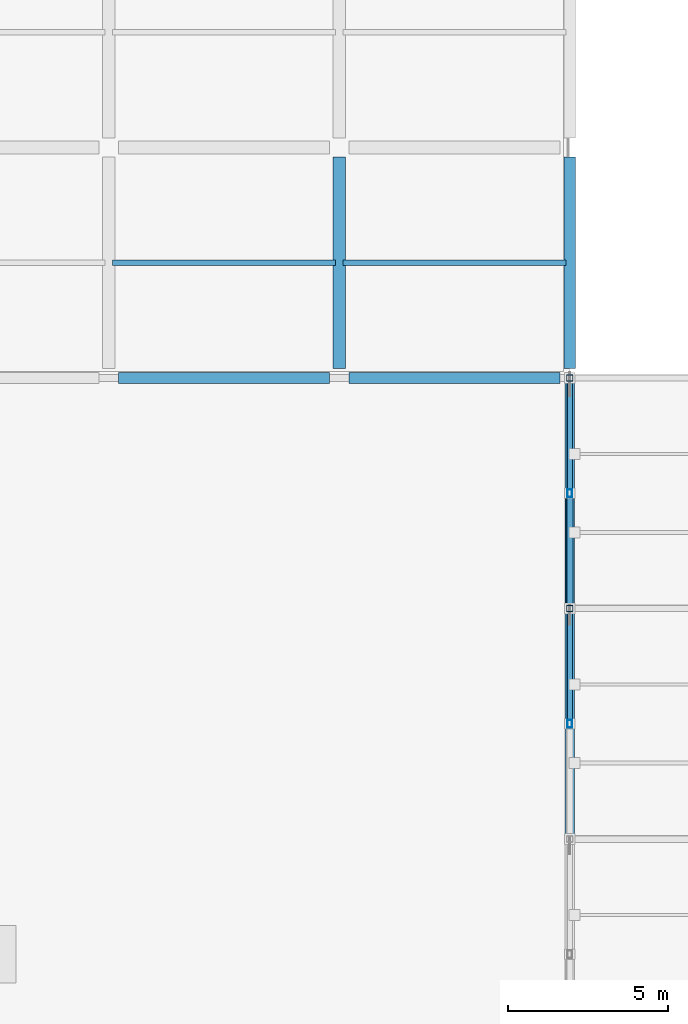
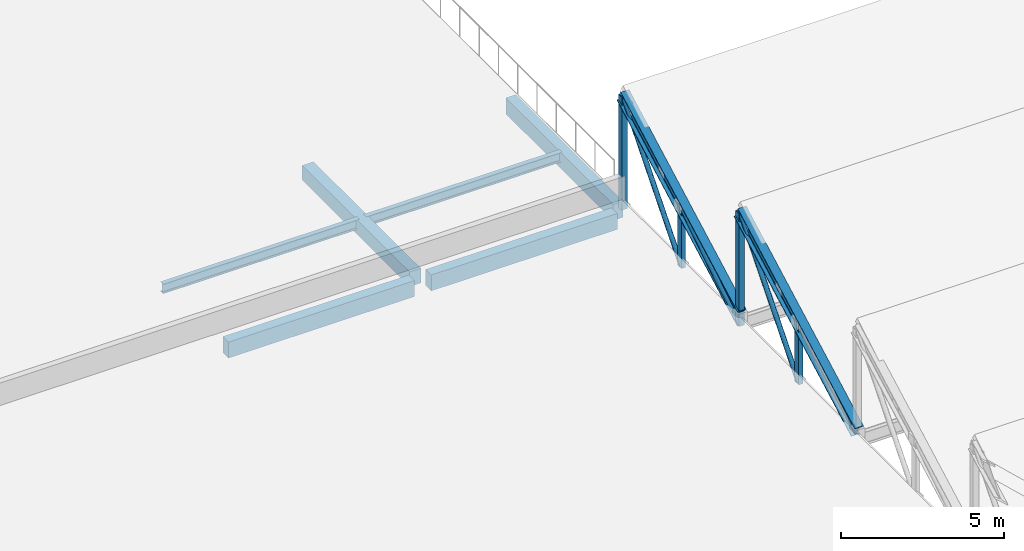
# One storey, part 11 of 51: 9 members, 6 beams.
"""IFC4 building model written with IfcOpenShell, lengths in metres."""

from ifc_helpers import new_model, si_unit, direction, frame, origin, origin_2d, place, context, subcontext, project, spatial, rectangle, hollow_rectangle, hollow_circle, i_section, extrude, material, material_profile, profile_set, type_object, element, save


model = new_model("IFC4")

# Units and contexts
model_context = context("Model", 3, precision=1e-05, world=origin(), true_north=direction((0.0, 1.0)))
body_context = subcontext(model_context, "Body", "Model", "MODEL_VIEW")
ifc_project = project(units=[si_unit("LENGTHUNIT", "METRE"), si_unit("AREAUNIT", "SQUARE_METRE"), si_unit("VOLUMEUNIT", "CUBIC_METRE"), si_unit("PLANEANGLEUNIT", "RADIAN"), si_unit("MASSUNIT", "GRAM", prefix="KILO")], contexts=[model_context])

# Site, building, storey
site_placement = place(None, origin())
site = spatial("IfcSite", under=ifc_project, at=site_placement, CompositionType="ELEMENT")
building_placement = place(site_placement, origin())
building = spatial("IfcBuilding", under=site, at=building_placement, Name="Valkovuoma Quantum and Materials Research Institute", CompositionType="ELEMENT")
storey_placement = place(building_placement, frame((0.0, 0.0, 17.280029296875)))
storey = spatial("IfcBuildingStorey", under=building, at=storey_placement, Name="L04", CompositionType="ELEMENT", Elevation=17.280029296875)

# Beams
ifc_material_1 = material(Name="Steel S355J2", Category="steel")
ifc_material_profile_1 = material_profile(ifc_material_1, i_section(OverallWidth=0.169921875, OverallDepth=0.360107421875, WebThickness=0.008056640625, FlangeThickness=0.0126953125, FilletRadius=0.01806640625, at=origin_2d()), Name="Steel S355J2")
ifc_profile_set_1 = profile_set([ifc_material_profile_1], Name="Steel S355J2")
beam_type_1 = type_object("IfcBeamType", Name="Beam-B-JST360", PredefinedType="JOIST", material=ifc_profile_set_1)
for number, where, z_axis, x_axis, name in (
    (1, (28.919921875, 68.39990234375, -0.530029296875), (1.0, 0.0, 0.0), (0.0, 1.0, 0.0), "L04 floor joist 2050"),
    (2, (36.1201171875, 68.39990234375, -0.530029296875), (1.0, 0.0, 0.0), (0.0, 1.0, 0.0), "L04 floor joist 2051"),
):
    element("IfcBeam", number, at=place(storey_placement, frame(where, z_axis=z_axis, x_axis=x_axis)), inside=storey, type_object=beam_type_1, Name=name, PredefinedType="JOIST", context=body_context, shape_type="SweptSolid", body=[
        extrude(i_section(OverallWidth=0.169921875, OverallDepth=0.360107421875, WebThickness=0.008056640625, FlangeThickness=0.0126953125, FilletRadius=0.01806640625, at=origin_2d()), origin(), (0.0, 0.0, 1.0), 6.9599609375),
    ])
ifc_material_2 = material(Name="Concrete C40/50", Category="concrete")
ifc_material_profile_2 = material_profile(ifc_material_2, rectangle(XDim=0.39990234375, YDim=0.550048828125, at=origin_2d()), Name="Concrete C40/50")
ifc_profile_set_2 = profile_set([ifc_material_profile_2], Name="Concrete C40/50")
beam_type_2 = type_object("IfcBeamType", Name="Beam-B-RC550", PredefinedType="BEAM", material=ifc_profile_set_2)
beam_placement = place(storey_placement, frame((36.0, 65.10009765625, -0.625), z_axis=(0.0, 1.0, 0.0), x_axis=(-1.0, 0.0, 0.0)))
element("IfcBeam", 3, at=beam_placement, inside=storey, type_object=beam_type_2, Name="L04 beam Y-1944", PredefinedType="BEAM", context=body_context, shape_type="SweptSolid", body=[
    extrude(rectangle(XDim=0.39990234375, YDim=0.550048828125, at=origin_2d()), origin(), (0.0, 0.0, 1.0), 6.599853515625),
])
ifc_material_3 = material(Name="Concrete C40/50", Category="concrete")
ifc_material_profile_3 = material_profile(ifc_material_3, rectangle(XDim=0.35009765625, YDim=0.60009765625, at=origin_2d()), Name="Concrete C40/50")
ifc_profile_set_3 = profile_set([ifc_material_profile_3], Name="Concrete C40/50")
beam_type_3 = type_object("IfcBeamType", Name="Beam-B-SPN600", PredefinedType="SPANDREL", material=ifc_profile_set_3)
for number, where, z_axis, x_axis, name in (
    (4, (29.10009765625, 64.800048828125, -0.650146484375), (1.0, 0.0, 0.0), (0.0, 1.0, 0.0), "L04 beam X-1846"),
    (5, (36.300048828125, 64.800048828125, -0.650146484375), (1.0, 0.0, 0.0), (0.0, 1.0, 0.0), "L04 beam X-1847"),
    (6, (43.199951171875, 65.10009765625, -0.650146484375), (0.0, 1.0, 0.0), (-1.0, 0.0, 0.0), "L04 beam Y-1950"),
):
    element("IfcBeam", number, at=place(storey_placement, frame(where, z_axis=z_axis, x_axis=x_axis)), inside=storey, type_object=beam_type_3, Name=name, PredefinedType="SPANDREL", context=body_context, shape_type="SweptSolid", body=[
        extrude(rectangle(XDim=0.35009765625, YDim=0.60009765625, at=origin_2d()), origin(), (0.0, 0.0, 1.0), 6.599853515625),
    ])

# Members
ifc_material_4 = material(Name="Steel S355J2H", Category="steel")
ifc_material_profile_4 = material_profile(ifc_material_4, hollow_circle(Radius=0.084228515625, WallThickness=0.008056640625, at=origin_2d()), Name="Steel S355J2H")
ifc_profile_set_4 = profile_set([ifc_material_profile_4], Name="Steel S355J2H")
member_type_1 = type_object("IfcMemberType", Name="Mem-M-BRC168", PredefinedType="BRACE", material=ifc_profile_set_4)
for number, where, z_axis, x_axis, name in (
    (7, (43.199951171875, 54.0, -0.35009765625), (0.0, 0.647241890385, 0.762284681291), (-1.0, 0.0, 0.0), "L04 VOL2 sawtooth web brace 1.3B"),
    (8, (43.199951171875, 61.199951171875, -0.35009765625), (0.0, 0.647241890385, 0.762284681291), (-1.0, 0.0, 0.0), "L04 VOL2 sawtooth web brace 1.4B"),
):
    element("IfcMember", number, at=place(storey_placement, frame(where, z_axis=z_axis, x_axis=x_axis)), inside=storey, type_object=member_type_1, Name=name, PredefinedType="BRACE", context=body_context, shape_type="SweptSolid", body=[
        extrude(hollow_circle(Radius=0.084228515625, WallThickness=0.008056640625, at=origin_2d()), origin(), (0.0, 0.0, 1.0), 5.562255859375),
    ])
ifc_material_5 = material(Name="Steel S355J2H", Category="steel")
ifc_material_profile_5 = material_profile(ifc_material_5, hollow_circle(Radius=0.109619140625, WallThickness=0.010009765625, at=origin_2d()), Name="Steel S355J2H")
ifc_profile_set_5 = profile_set([ifc_material_profile_5], Name="Steel S355J2H")
member_type_2 = type_object("IfcMemberType", Name="Mem-M-BRC219", PredefinedType="BRACE", material=ifc_profile_set_5)
member_1_placement = place(storey_placement, frame((43.199951171875, 57.60009765625, -0.35009765625), z_axis=(0.0, 0.843199655679, 0.53760054005), x_axis=(-1.0, 0.0, 0.0)))
element("IfcMember", 9, at=member_1_placement, inside=storey, type_object=member_type_2, Name="L04 VOL2 sawtooth web brace 1.4A", PredefinedType="BRACE", context=body_context, shape_type="SweptSolid", body=[
    extrude(hollow_circle(Radius=0.109619140625, WallThickness=0.010009765625, at=origin_2d()), origin(), (0.0, 0.0, 1.0), 4.269287109375),
])
ifc_material_6 = material(Name="Steel S355J2", Category="steel")
ifc_material_profile_6 = material_profile(ifc_material_6, i_section(OverallWidth=0.300048828125, OverallDepth=0.5, WebThickness=0.014404296875, FlangeThickness=0.028076171875, FilletRadius=0.027099609375, at=origin_2d()), Name="Steel S355J2")
ifc_profile_set_6 = profile_set([ifc_material_profile_6], Name="Steel S355J2")
member_type_3 = type_object("IfcMemberType", Name="Mem-M-CHD500", PredefinedType="CHORD", material=ifc_profile_set_6)
member_2_placement = place(storey_placement, frame((43.199951171875, 50.39990234375, 0.0), z_axis=(0.0, 0.879814082946, 0.4753179772), x_axis=(-1.0, 0.0, 0.0)))
element("IfcMember", 10, at=member_2_placement, inside=storey, type_object=member_type_3, Name="L04 VOL2 sawtooth top chord 1.3", PredefinedType="CHORD", context=body_context, shape_type="SweptSolid", body=[
    extrude(i_section(OverallWidth=0.300048828125, OverallDepth=0.5, WebThickness=0.014404296875, FlangeThickness=0.028076171875, FilletRadius=0.027099609375, at=origin_2d()), origin(), (0.0, 0.0, 1.0), 8.183837890625),
])
member_3_placement = place(storey_placement, frame((43.199951171875, 57.60009765625, 0.0), z_axis=(0.0, 0.879807342754, 0.475330453091), x_axis=(-1.0, 0.0, 0.0)))
element("IfcMember", 11, at=member_3_placement, inside=storey, type_object=member_type_3, Name="L04 VOL2 sawtooth top chord 1.4", PredefinedType="CHORD", context=body_context, shape_type="SweptSolid", body=[
    extrude(i_section(OverallWidth=0.300048828125, OverallDepth=0.5, WebThickness=0.014404296875, FlangeThickness=0.028076171875, FilletRadius=0.027099609375, at=origin_2d()), origin(), (0.0, 0.0, 1.0), 8.18359375),
])
ifc_material_7 = material(Name="Steel S355J2H", Category="steel")
ifc_material_profile_7 = material_profile(ifc_material_7, hollow_rectangle(XDim=0.199951171875, YDim=0.199951171875, WallThickness=0.010009765625, at=origin_2d()), Name="Steel S355J2H")
ifc_profile_set_7 = profile_set([ifc_material_profile_7], Name="Steel S355J2H")
member_type_4 = type_object("IfcMemberType", Name="Mem-M-STR200", PredefinedType="STRUT", material=ifc_profile_set_7)
for number, where, z_axis, x_axis, name in (
    (12, (43.199951171875, 57.60009765625, -0.35009765625), (0.0, 0.0, 1.0), (1.0, 0.0, 0.0), "L04 VOL2 sawtooth north post 1.3"),
    (13, (43.199951171875, 64.800048828125, -0.35009765625), (0.0, 0.0, 1.0), (1.0, 0.0, 0.0), "L04 VOL2 sawtooth north post 1.4"),
):
    element("IfcMember", number, at=place(storey_placement, frame(where, z_axis=z_axis, x_axis=x_axis)), inside=storey, type_object=member_type_4, Name=name, PredefinedType="STRUT", context=body_context, shape_type="SweptSolid", body=[
        extrude(hollow_rectangle(XDim=0.199951171875, YDim=0.199951171875, WallThickness=0.010009765625, at=origin_2d()), origin(), (0.0, 0.0, 1.0), 4.239990234375),
    ])
ifc_material_8 = material(Name="Steel S355J2H", Category="steel")
ifc_material_profile_8 = material_profile(ifc_material_8, hollow_rectangle(XDim=0.14990234375, YDim=0.25, WallThickness=0.010009765625, at=origin_2d()), Name="Steel S355J2H")
ifc_profile_set_8 = profile_set([ifc_material_profile_8], Name="Steel S355J2H")
member_type_5 = type_object("IfcMemberType", Name="Mem-M-STR250R", PredefinedType="STRUT", material=ifc_profile_set_8)
for number, where, z_axis, x_axis, name in (
    (14, (43.199951171875, 54.0, -0.35009765625), (0.0, 0.0, 1.0), (1.0, 0.0, 0.0), "L04 VOL2 sawtooth mid strut 1.3"),
    (15, (43.199951171875, 61.199951171875, -0.35009765625), (0.0, 0.0, 1.0), (1.0, 0.0, 0.0), "L04 VOL2 sawtooth mid strut 1.4"),
):
    element("IfcMember", number, at=place(storey_placement, frame(where, z_axis=z_axis, x_axis=x_axis)), inside=storey, type_object=member_type_5, Name=name, PredefinedType="STRUT", context=body_context, shape_type="SweptSolid", body=[
        extrude(hollow_rectangle(XDim=0.14990234375, YDim=0.25, WallThickness=0.010009765625, at=origin_2d()), origin(), (0.0, 0.0, 1.0), 2.295166015625),
    ])

save(model, "model.ifc")
